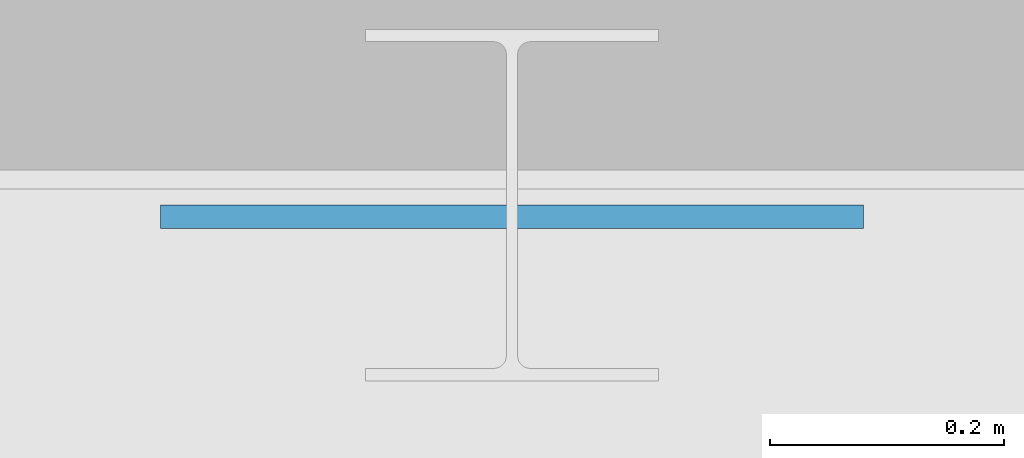
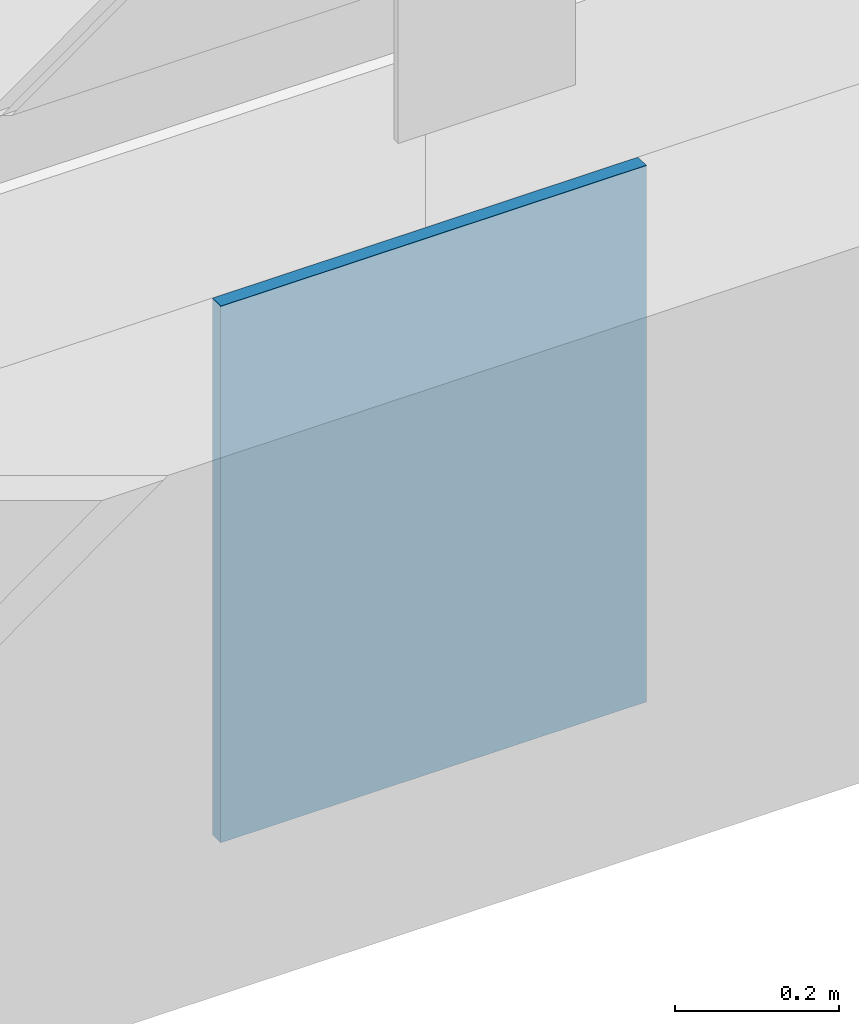
# One storey, part 66 of 100: 1 plate.
"""IFC4 building model written with IfcOpenShell, lengths in metres."""

from ifc_helpers import new_model, si_unit, derived_unit, direction, frame, origin, origin_2d, place, context, subcontext, project, spatial, rectangle, extrude, material, layer, layer_set, type_object, element, save


model = new_model("IFC4")

# Units and contexts
model_context = context("Model", 3, precision=1e-05, world=origin(), true_north=direction((0.0, 1.0)))
body_context = subcontext(model_context, "Body", "Model", "MODEL_VIEW")
ifc_project = project(units=[si_unit("LENGTHUNIT", "METRE"), si_unit("AREAUNIT", "SQUARE_METRE"), si_unit("VOLUMEUNIT", "CUBIC_METRE"), si_unit("PLANEANGLEUNIT", "RADIAN"), si_unit("MASSUNIT", "GRAM", prefix="KILO"), derived_unit("THERMALTRANSMITTANCEUNIT", [(si_unit("POWERUNIT", "WATT"), 1), (si_unit("LENGTHUNIT", "METRE"), -2), (si_unit("THERMODYNAMICTEMPERATUREUNIT", "KELVIN"), -1)])], contexts=[model_context])

# Site, building, storey
site_placement = place(None, origin())
site = spatial("IfcSite", under=ifc_project, at=site_placement, CompositionType="ELEMENT")
building_placement = place(site_placement, origin())
building = spatial("IfcBuilding", under=site, at=building_placement, Name="Nallur Shell Playhouse", CompositionType="ELEMENT")
storey_placement = place(building_placement, frame((0.0, 0.0, 10.199951171875)))
storey = spatial("IfcBuildingStorey", under=building, at=storey_placement, Name="L03", CompositionType="ELEMENT", Elevation=10.199951171875)

# Plate
ifc_material = material(Name="Steel E350", Category="steel")
ifc_layer = layer(ifc_material, 0.02001953125)
ifc_layer_set = layer_set([ifc_layer], Name="Steel E350")
plate_type = type_object("IfcPlateType", Name="PT-ENDCAP-20", PredefinedType="SHEET", material=ifc_layer_set)
plate_placement = place(storey_placement, frame((87.39990234375, 9.989990234375, -1.06005859375), z_axis=(0.0, 0.0, 1.0), x_axis=(1.0, 0.0, 0.0)))
element("IfcPlate", 1, at=plate_placement, inside=storey, type_object=plate_type, Name="Hollow end cap EC-TT-5-TC0", PredefinedType="SHEET", context=body_context, shape_type="SweptSolid", body=[
    extrude(rectangle(XDim=0.60009765625, YDim=0.02001953125, at=origin_2d()), origin(), (0.0, 0.0, 1.0), 0.800048828125),
])

save(model, "model.ifc")
